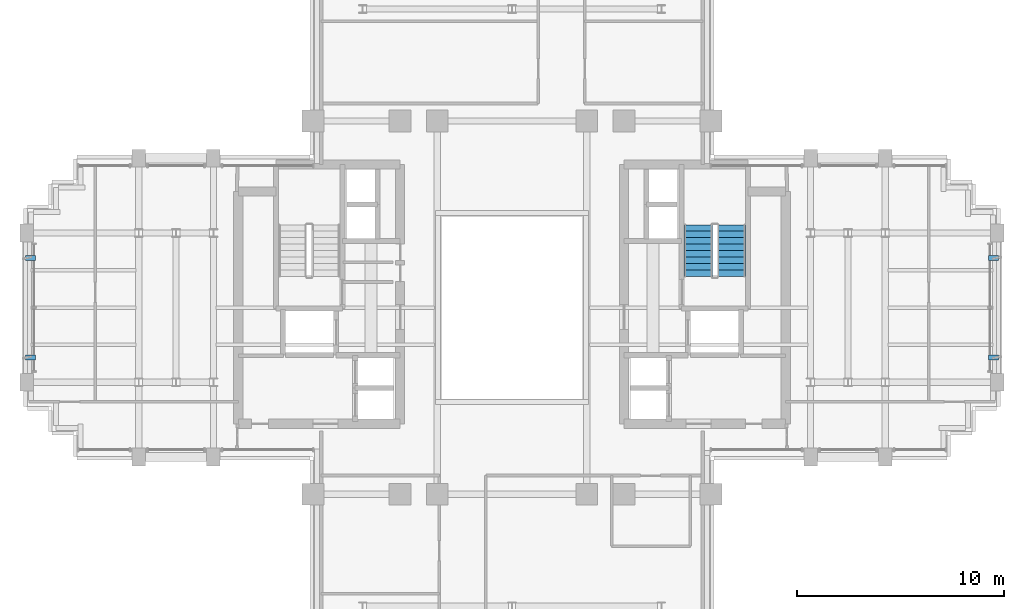
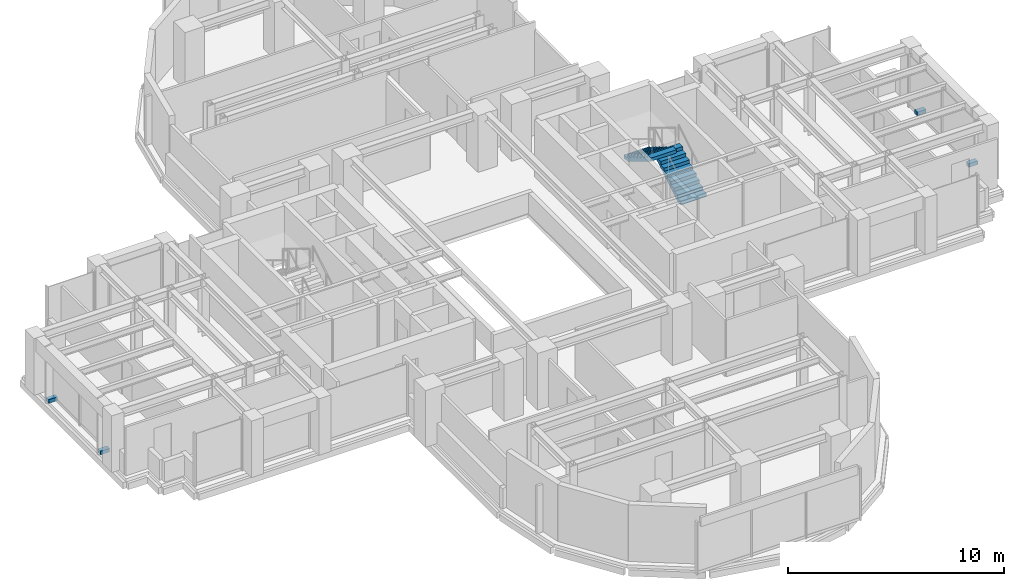
# One storey, part 11 of 14: 4 discrete accessories, 2 stair flights, 1 element without a shape of its own.
"""IFC4 building model written with IfcOpenShell, lengths in metres."""

from ifc_helpers import new_model, si_unit, direction, frame, origin, origin_2d, place, context, subcontext, project, spatial, polyline, rectangle, outline, extrude, source, transform, mapped, material, type_object, element, aggregate, save


model = new_model("IFC4")

# Units and contexts
model_context = context("Model", 3, precision=1e-05, world=origin(), true_north=direction((0.0, 1.0)))
body_context = subcontext(model_context, "Body", "Model", "MODEL_VIEW")
ifc_project = project(units=[si_unit("LENGTHUNIT", "METRE"), si_unit("AREAUNIT", "SQUARE_METRE"), si_unit("VOLUMEUNIT", "CUBIC_METRE"), si_unit("PLANEANGLEUNIT", "RADIAN"), si_unit("MASSUNIT", "GRAM", prefix="KILO")], contexts=[model_context])

# Site, building, storey
site_placement = place(None, origin())
site = spatial("IfcSite", under=ifc_project, at=site_placement, CompositionType="ELEMENT")
building_placement = place(site_placement, origin())
building = spatial("IfcBuilding", under=site, at=building_placement, Name="Keilestroom Media Tower", CompositionType="ELEMENT")
storey_placement = place(building_placement, frame((0.0, 0.0, 114.199951171875)))
storey = spatial("IfcBuildingStorey", under=building, at=storey_placement, Name="L30", CompositionType="ELEMENT", Elevation=114.199951171875)

# Stair, stair flights
ifc_material_1 = material(Name="Concrete C45/55", Category="concrete")
stair_type = type_object("IfcStairType", Name="Enclosed-Dog-Leg-Stair-ST-CORE", PredefinedType="HALF_TURN_STAIR", material=ifc_material_1)
stair_placement = place(storey_placement, origin())
stair = element("IfcStair", 1, at=stair_placement, inside=storey, type_object=stair_type, Name="L30 East Core Escape Stair ST-2", PredefinedType="HALF_TURN_STAIR")
ifc_material_2 = material(Name="Precast concrete C40/50", Category="concrete")
stair_flight_type = type_object("IfcStairFlightType", Name="Precast-Concrete-Stair-Flight-Core-160", PredefinedType="STRAIGHT", material=ifc_material_2)
stair_flight_1_placement = place(storey_placement, frame((10.580078125, 1.5, 0.0), z_axis=(0.0, 0.0, 1.0), x_axis=(0.0, 1.0, 0.0)))
stair_flight_1 = element("IfcStairFlight", 2, at=stair_flight_1_placement, type_object=stair_flight_type, Name="ST-2 flight 1", NumberOfRisers=9, NumberOfTreads=8, PredefinedType="STRAIGHT", RiserHeight=0.188888889, TreadLength=0.312, context=body_context, shape_type="SweptSolid", body=[
    extrude(outline(polyline([(0.0, 0.0), (0.0, 0.18896484375), (0.31201171875, 0.18896484375), (0.31201171875, 0.377685546875), (0.6240234375, 0.377685546875), (0.6240234375, 0.566650390625), (0.93603515625, 0.566650390625), (0.93603515625, 0.755615234375), (1.248046875, 0.755615234375), (1.248046875, 0.9443359375), (1.56005859375, 0.9443359375), (1.56005859375, 1.13330078125), (1.8720703125, 1.13330078125), (1.8720703125, 1.322265625), (2.18408203125, 1.322265625), (2.18408203125, 1.51123046875), (2.49609375, 1.51123046875), (2.49609375, 1.699951171875), (2.49609375, 1.32421875), (0.308837890625, 0.0), (0.0, 0.0)])), frame((0.0, 0.68017578125, 0.0), z_axis=(0.0, -1.0, 0.0), x_axis=(1.0, 0.0, 0.0)), (0.0, 0.0, 1.0), 1.360107421875),
])
stair_flight_2_placement = place(storey_placement, frame((8.97998046875, 3.99609375, 1.699951171875), z_axis=(0.0, 0.0, 1.0), x_axis=(0.0, -1.0, 0.0)))
stair_flight_2 = element("IfcStairFlight", 3, at=stair_flight_2_placement, type_object=stair_flight_type, Name="ST-2 flight 2", NumberOfRisers=9, NumberOfTreads=8, PredefinedType="STRAIGHT", RiserHeight=0.188888889, TreadLength=0.312, context=body_context, shape_type="SweptSolid", body=[
    extrude(outline(polyline([(0.0, 0.0), (0.0, 0.18896484375), (0.31201171875, 0.18896484375), (0.31201171875, 0.377685546875), (0.6240234375, 0.377685546875), (0.6240234375, 0.566650390625), (0.93603515625, 0.566650390625), (0.93603515625, 0.755615234375), (1.248046875, 0.755615234375), (1.248046875, 0.9443359375), (1.56005859375, 0.9443359375), (1.56005859375, 1.13330078125), (1.8720703125, 1.13330078125), (1.8720703125, 1.322265625), (2.18408203125, 1.322265625), (2.18408203125, 1.51123046875), (2.49609375, 1.51123046875), (2.49609375, 1.699951171875), (2.49609375, 1.32421875), (0.308837890625, 0.0), (0.0, 0.0)])), frame((0.0, 0.68017578125, 0.0), z_axis=(0.0, -1.0, 0.0), x_axis=(1.0, 0.0, 0.0)), (0.0, 0.0, 1.0), 1.360107421875),
])
aggregate(stair, [stair_flight_1, stair_flight_2])

# Discrete accessories
ifc_material_3 = material(Name="Stainless Steel 1.4401", Category="steel")
discrete_accessory_type = type_object("IfcDiscreteAccessoryType", Name="Facade-Fin-Fixing-Bracket-BRK-1", PredefinedType="BRACKET", material=ifc_material_3)
shared_shape = source(origin(), body_context, "Body", "SweptSolid", [
    extrude(rectangle(XDim=0.47998046875, YDim=0.239990234375, at=origin_2d()), origin(), (0.0, 0.0, 1.0), 0.199951171875),
])
for number, where, z_axis, x_axis, name in (
    (4, (-23.2099609375, -2.39990234375, -0.009765625), (0.0, 0.0, 1.0), (1.0, 0.0, 0.0), "L30 Sunshade Fin Bracket BRK-1 033"),
    (5, (-23.2099609375, 2.39990234375, -0.009765625), (0.0, 0.0, 1.0), (1.0, 0.0, 0.0), "L30 Sunshade Fin Bracket BRK-1 034"),
    (6, (23.2099609375, -2.39990234375, -0.009765625), (0.0, 0.0, 1.0), (1.0, 0.0, 0.0), "L30 Sunshade Fin Bracket BRK-1 035"),
    (7, (23.2099609375, 2.39990234375, -0.009765625), (0.0, 0.0, 1.0), (1.0, 0.0, 0.0), "L30 Sunshade Fin Bracket BRK-1 036"),
):
    element("IfcDiscreteAccessory", number, at=place(storey_placement, frame(where, z_axis=z_axis, x_axis=x_axis)), inside=storey, type_object=discrete_accessory_type, Name=name, PredefinedType="BRACKET", context=body_context, shape_type="MappedRepresentation", body=[
        mapped(shared_shape, transform((0.0, 0.0, 0.0), x_axis=(1.0, 0.0, 0.0), y_axis=(0.0, 1.0, 0.0), z_axis=(0.0, 0.0, 1.0), scale=1.0)),
    ])

save(model, "model.ifc")
